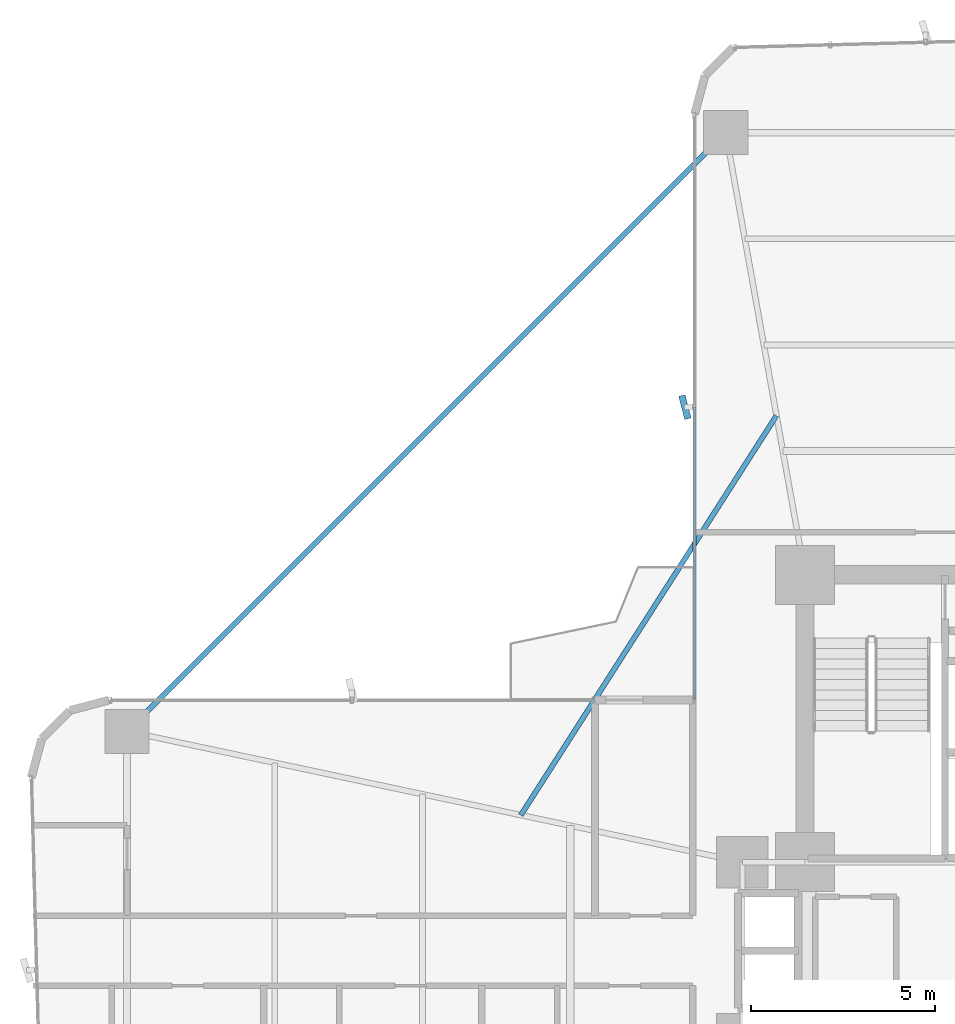
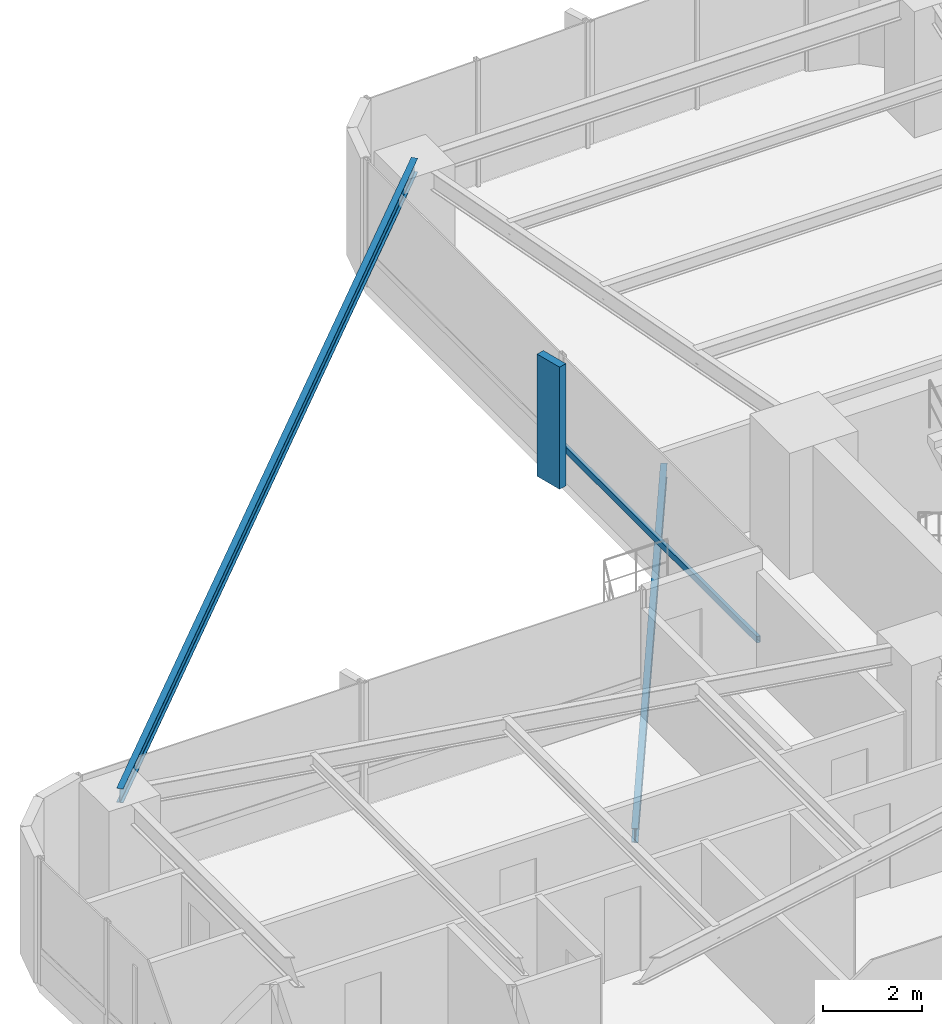
# One storey, part 17 of 25: 2 beams, 2 members, 1 element without a shape of its own.
"""IFC4 building model written with IfcOpenShell, lengths in metres."""

from ifc_helpers import new_model, si_unit, direction, frame, origin, origin_2d, place, context, subcontext, project, spatial, rectangle, hollow_rectangle, i_section, extrude, source, transform, mapped, material, material_profile, profile_set, type_object, element, aggregate, save


model = new_model("IFC4")

# Units and contexts
model_context = context("Model", 3, precision=1e-05, world=origin(), true_north=direction((0.0, 1.0)))
body_context = subcontext(model_context, "Body", "Model", "MODEL_VIEW")
ifc_project = project(units=[si_unit("LENGTHUNIT", "METRE"), si_unit("AREAUNIT", "SQUARE_METRE"), si_unit("VOLUMEUNIT", "CUBIC_METRE"), si_unit("PLANEANGLEUNIT", "RADIAN"), si_unit("MASSUNIT", "GRAM", prefix="KILO")], contexts=[model_context])

# Site, building, storey
site_placement = place(None, origin())
site = spatial("IfcSite", under=ifc_project, at=site_placement, CompositionType="ELEMENT")
building_placement = place(site_placement, origin())
building = spatial("IfcBuilding", under=site, at=building_placement, Name="Sahyath Konkavel Grand Hotel", CompositionType="ELEMENT")
storey_placement = place(building_placement, frame((0.0, 0.0, 57.75)))
storey = spatial("IfcBuildingStorey", under=building, at=storey_placement, Name="L15", CompositionType="ELEMENT", Elevation=57.75)

# Beam
ifc_material_1 = material(Name="Steel E350", Category="steel")
ifc_material_profile_1 = material_profile(ifc_material_1, i_section(OverallWidth=0.139892578125, OverallDepth=0.35009765625, WebThickness=0.008056640625, FlangeThickness=0.01416015625, FilletRadius=0.013916015625, at=origin_2d()), Name="ISMB 350")
ifc_profile_set_1 = profile_set([ifc_material_profile_1], Name="Steel E350")
beam_type_1 = type_object("IfcBeamType", Name="BM-ISMB350", PredefinedType="BEAM", material=ifc_profile_set_1)
shared_shape_1 = source(origin(), body_context, "Body", "SweptSolid", [
    extrude(i_section(OverallWidth=0.139892578125, OverallDepth=0.35009765625, WebThickness=0.008056640625, FlangeThickness=0.01416015625, FilletRadius=0.013916015625, at=origin_2d()), origin(), (0.0, 0.0, 1.0), 22.98095703125),
])
beam_1_placement = place(storey_placement, frame((-5.949951171875, 22.199951171875, 2.93505859375), z_axis=(-0.707106781187, -0.707106781187, 0.0), x_axis=(0.707106781187, -0.707106781187, 0.0)))
element("IfcBeam", 1, at=beam_1_placement, inside=storey, type_object=beam_type_1, Name="L15 Re-Entrant Tie Beam NW", PredefinedType="BEAM", context=body_context, shape_type="MappedRepresentation", body=[
    mapped(shared_shape_1, transform((0.0, 0.0, 0.0), scale=1.0)),
])

# Curtain wall, members
ifc_material_2 = material(Name="Anodised Bronze Aluminium & Low-E Glazing", Category="aluminium")
curtain_wall_type = type_object("IfcCurtainWallType", Name="CW-ZONE1", PredefinedType="NOTDEFINED", material=ifc_material_2)
curtain_wall_placement = place(storey_placement, origin())
curtain_wall = element("IfcCurtainWall", 2, at=curtain_wall_placement, inside=storey, type_object=curtain_wall_type, Name="L15 Unitised Curtain Wall F15", PredefinedType="NOTDEFINED")
ifc_material_3 = material(Name="Warm Buff Sandstone Cladding on Concrete C50/60", Category="masonry")
ifc_material_profile_2 = material_profile(ifc_material_3, rectangle(XDim=0.179931640625, YDim=0.64990234375, at=origin_2d()), Name="FIN 180x650")
ifc_profile_set_2 = profile_set([ifc_material_profile_2], Name="Warm Buff Sandstone Cladding on Concrete C50/60")
member_type_1 = type_object("IfcMemberType", Name="FIN-SANDSTONE-650", PredefinedType="MULLION", material=ifc_profile_set_2)
shared_shape_2 = source(origin(), body_context, "Body", "SweptSolid", [
    extrude(rectangle(XDim=0.179931640625, YDim=0.64990234375, at=origin_2d()), origin(), (0.0, 0.0, 1.0), 3.010009765625),
])
member_1_placement = place(storey_placement, frame((-7.06005859375, 14.75, 0.050048828125), z_axis=(0.0, 0.0, 1.0), x_axis=(0.967884912253, 0.251393708421, 0.0)))
member_1 = element("IfcMember", 3, at=member_1_placement, type_object=member_type_1, Name="L15 Sandstone Vertical Solar Fin FIN F15-1", PredefinedType="MULLION", context=body_context, shape_type="MappedRepresentation", body=[
    mapped(shared_shape_2, transform((0.0, 0.0, 0.0), scale=1.0)),
])
ifc_material_4 = material(Name="Anodised Bronze Aluminium", Category="aluminium")
ifc_material_profile_3 = material_profile(ifc_material_4, hollow_rectangle(XDim=0.080078125, YDim=0.159912109375, WallThickness=0.006103515625, at=origin_2d()), Name="RHS 160x80x6")
ifc_profile_set_3 = profile_set([ifc_material_profile_3], Name="Anodised Bronze Aluminium")
member_type_2 = type_object("IfcMemberType", Name="CW-TRN-160", PredefinedType="USERDEFINED", material=ifc_profile_set_3)
shared_shape_3 = source(origin(), body_context, "Body", "SweptSolid", [
    extrude(hollow_rectangle(XDim=0.080078125, YDim=0.159912109375, WallThickness=0.006103515625, at=origin_2d()), origin(), (0.0, 0.0, 1.0), 7.909912109375),
])
member_2_placement = place(storey_placement, frame((-6.800048828125, 14.75, 0.85009765625), z_axis=(0.0, -1.0, 0.0), x_axis=(1.0, 0.0, 0.0)))
member_2 = element("IfcMember", 4, at=member_2_placement, type_object=member_type_2, Name="L15 Curtain Wall Transom F15-1-spandrel", ObjectType="TRANSOM", PredefinedType="USERDEFINED", context=body_context, shape_type="MappedRepresentation", body=[
    mapped(shared_shape_3, transform((0.0, 0.0, 0.0), scale=1.0)),
])
aggregate(curtain_wall, [member_1, member_2])

# Beam
ifc_material_profile_4 = material_profile(ifc_material_1, i_section(OverallWidth=0.139892578125, OverallDepth=0.35009765625, WebThickness=0.008056640625, FlangeThickness=0.01416015625, FilletRadius=0.013916015625, at=origin_2d()), Name="ISMB 350")
ifc_profile_set_4 = profile_set([ifc_material_profile_4], Name="Steel E350")
beam_type_2 = type_object("IfcBeamType", Name="BM-BALC-CANT", PredefinedType="BEAM", material=ifc_profile_set_4)
shared_shape_4 = source(origin(), body_context, "Body", "SweptSolid", [
    extrude(i_section(OverallWidth=0.139892578125, OverallDepth=0.35009765625, WebThickness=0.008056640625, FlangeThickness=0.01416015625, FilletRadius=0.013916015625, at=origin_2d()), origin(), (0.0, 0.0, 1.0), 12.871826171875),
])
beam_2_placement = place(storey_placement, frame((-4.573974609375, 14.52001953125, -0.4150390625), z_axis=(-0.539003102535, -0.842303778608, 0.0), x_axis=(0.842303778608, -0.539003102535, 0.0)))
element("IfcBeam", 5, at=beam_2_placement, inside=storey, type_object=beam_type_2, Name="L15 Balcony Cantilever Support Beam NW", PredefinedType="BEAM", context=body_context, shape_type="MappedRepresentation", body=[
    mapped(shared_shape_4, transform((0.0, 0.0, 0.0), scale=1.0)),
])

save(model, "model.ifc")
